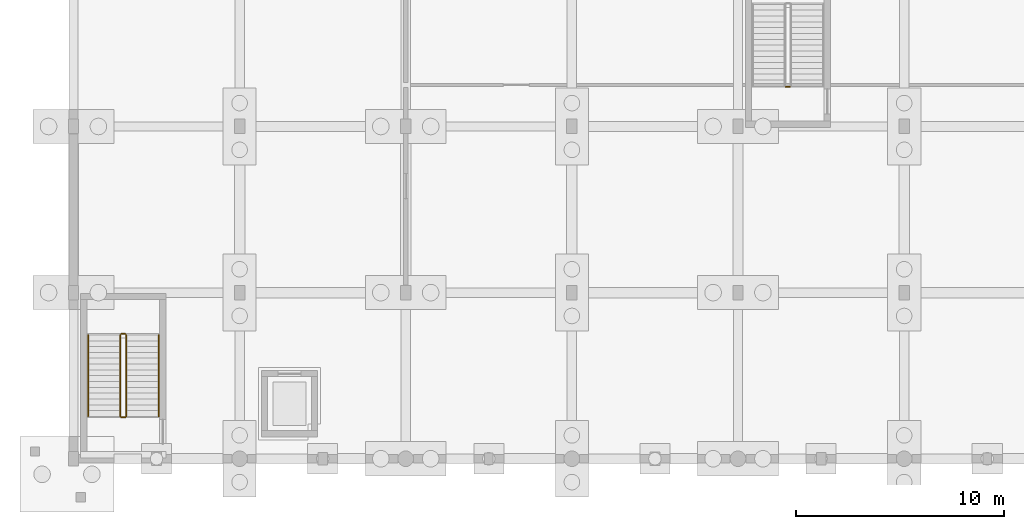
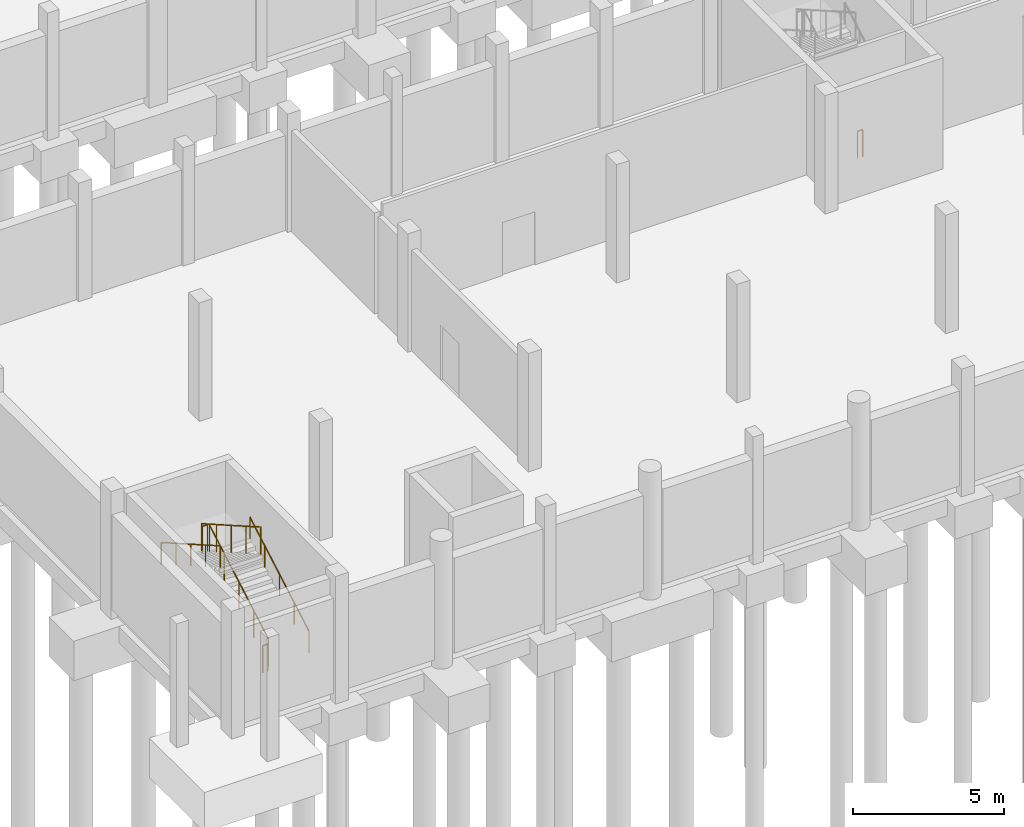
# One storey, part 37 of 52: 7 railings.
"""IFC4 building model written with IfcOpenShell, lengths in metres."""

from ifc_helpers import new_model, si_unit, direction, frame, origin, origin_2d, place, context, subcontext, project, spatial, circle, extrude, material, type_object, element, save


model = new_model("IFC4")

# Units and contexts
model_context = context("Model", 3, precision=1e-05, world=origin(), true_north=direction((0.0, 1.0)))
body_context = subcontext(model_context, "Body", "Model", "MODEL_VIEW")
ifc_project = project(units=[si_unit("LENGTHUNIT", "METRE"), si_unit("AREAUNIT", "SQUARE_METRE"), si_unit("VOLUMEUNIT", "CUBIC_METRE"), si_unit("PLANEANGLEUNIT", "RADIAN"), si_unit("MASSUNIT", "GRAM", prefix="KILO")], contexts=[model_context])

# Site, building, storey
site_placement = place(None, origin())
site = spatial("IfcSite", under=ifc_project, at=site_placement, CompositionType="ELEMENT")
building_placement = place(site_placement, origin())
building = spatial("IfcBuilding", under=site, at=building_placement, Name="Luwemba Playhouse", CompositionType="ELEMENT")
storey_placement = place(building_placement, frame((0.0, 0.0, -4.800048828125)))
storey = spatial("IfcBuildingStorey", under=building, at=storey_placement, Name="B1", CompositionType="ELEMENT", Elevation=-4.800048828125)

# Railings
ifc_material_1 = material(Name="Painted wrought-iron gallery balustrade", Category="steel")
railing_type_1 = type_object("IfcRailingType", Name="RLG-BAL-INT", PredefinedType="BALUSTRADE", material=ifc_material_1)
railing_1_placement = place(storey_placement, frame((6.550048828125, 5.0400390625, 0.16015625)))
element("IfcRailing", 1, at=railing_1_placement, inside=storey, type_object=railing_type_1, Name="B1 ST-04 stair guard 1", PredefinedType="BALUSTRADE", context=body_context, shape_type="SweptSolid", body=[
    extrude(circle(Radius=0.02392578125, at=origin_2d()), frame((0.0, 0.0, 1.09619140625), z_axis=(0.0, 0.868239814368, 0.496144761885), x_axis=(-1.0, 0.0, 0.0)), (0.0, 0.0, 1.0), 4.514892578125),
    extrude(circle(Radius=0.02099609375, at=origin_2d()), origin(), (0.0, 0.0, 1.0), 1.072021484375),
    extrude(circle(Radius=0.02099609375, at=origin_2d()), frame((0.0, 0.97998046875, 0.56005859375)), (0.0, 0.0, 1.0), 1.072021484375),
    extrude(circle(Radius=0.02099609375, at=origin_2d()), frame((0.0, 1.9599609375, 1.1201171875)), (0.0, 0.0, 1.0), 1.072021484375),
    extrude(circle(Radius=0.02099609375, at=origin_2d()), frame((0.0, 2.93994140625, 1.679931640625)), (0.0, 0.0, 1.0), 1.072021484375),
    extrude(circle(Radius=0.02099609375, at=origin_2d()), frame((0.0, 3.919921875, 2.239990234375)), (0.0, 0.0, 1.0), 1.072021484375),
])
railing_2_placement = place(storey_placement, frame((6.5, 9.010009765625, 2.400146484375)))
element("IfcRailing", 2, at=railing_2_placement, inside=storey, type_object=railing_type_1, Name="B1 ST-04 stair guard 2", PredefinedType="BALUSTRADE", context=body_context, shape_type="SweptSolid", body=[
    extrude(circle(Radius=0.02392578125, at=origin_2d()), frame((0.0, 0.0, 1.09619140625), z_axis=(-1.0, 0.0, 0.0), x_axis=(0.0, -1.0, 0.0)), (0.0, 0.0, 1.0), 0.199951171875),
    extrude(circle(Radius=0.02099609375, at=origin_2d()), origin(), (0.0, 0.0, 1.0), 1.072021484375),
    extrude(circle(Radius=0.02099609375, at=origin_2d()), frame((-0.199951171875, 0.0, 0.0)), (0.0, 0.0, 1.0), 1.072021484375),
])
railing_3_placement = place(storey_placement, frame((6.25, 8.9599609375, 2.56005859375)))
element("IfcRailing", 3, at=railing_3_placement, inside=storey, type_object=railing_type_1, Name="B1 ST-04 stair guard 3", PredefinedType="BALUSTRADE", context=body_context, shape_type="SweptSolid", body=[
    extrude(circle(Radius=0.02392578125, at=origin_2d()), frame((0.0, 0.0, 1.09619140625), z_axis=(0.0, -0.868239814368, 0.496144761885), x_axis=(1.0, 0.0, 0.0)), (0.0, 0.0, 1.0), 4.514892578125),
    extrude(circle(Radius=0.02099609375, at=origin_2d()), origin(), (0.0, 0.0, 1.0), 1.072021484375),
    extrude(circle(Radius=0.02099609375, at=origin_2d()), frame((0.0, -0.97998046875, 0.56005859375)), (0.0, 0.0, 1.0), 1.072021484375),
    extrude(circle(Radius=0.02099609375, at=origin_2d()), frame((0.0, -1.9599609375, 1.1201171875)), (0.0, 0.0, 1.0), 1.072021484375),
    extrude(circle(Radius=0.02099609375, at=origin_2d()), frame((0.0, -2.93994140625, 1.679931640625)), (0.0, 0.0, 1.0), 1.072021484375),
    extrude(circle(Radius=0.02099609375, at=origin_2d()), frame((0.0, -3.919921875, 2.239990234375)), (0.0, 0.0, 1.0), 1.072021484375),
])
for number, where, name in (
    (4, (6.5, 4.989990234375, 0.0), "B1 ST-04 stair guard 4"),
    (5, (38.5, 20.909912109375, 0.0), "B1 ST-13 stair guard 4"),
):
    element("IfcRailing", number, at=place(storey_placement, frame(where)), inside=storey, type_object=railing_type_1, Name=name, PredefinedType="BALUSTRADE", context=body_context, shape_type="SweptSolid", body=[
        extrude(circle(Radius=0.02392578125, at=origin_2d()), frame((0.0, 0.0, 1.09619140625), z_axis=(-1.0, 0.0, 0.0), x_axis=(0.0, -1.0, 0.0)), (0.0, 0.0, 1.0), 0.199951171875),
        extrude(circle(Radius=0.02099609375, at=origin_2d()), origin(), (0.0, 0.0, 1.0), 1.072021484375),
        extrude(circle(Radius=0.02099609375, at=origin_2d()), frame((-0.199951171875, 0.0, 0.0)), (0.0, 0.0, 1.0), 1.072021484375),
    ])
ifc_material_2 = material(Name="Hardwood and bronze handrail", Category="wood")
railing_type_2 = type_object("IfcRailingType", Name="RLG-HR-INT", PredefinedType="HANDRAIL", material=ifc_material_2)
railing_4_placement = place(storey_placement, frame((8.10009765625, 5.0400390625, 0.16015625)))
element("IfcRailing", 6, at=railing_4_placement, inside=storey, type_object=railing_type_2, Name="B1 ST-04 stair handrail 1", PredefinedType="HANDRAIL", context=body_context, shape_type="SweptSolid", body=[
    extrude(circle(Radius=0.02392578125, at=origin_2d()), frame((0.0, 0.0, 0.8759765625), z_axis=(0.0, 0.868239814368, 0.496144761885), x_axis=(-1.0, 0.0, 0.0)), (0.0, 0.0, 1.0), 4.514892578125),
    extrude(circle(Radius=0.02099609375, at=origin_2d()), origin(), (0.0, 0.0, 1.0), 0.851806640625),
    extrude(circle(Radius=0.02099609375, at=origin_2d()), frame((0.0, 0.97998046875, 0.56005859375)), (0.0, 0.0, 1.0), 0.851806640625),
    extrude(circle(Radius=0.02099609375, at=origin_2d()), frame((0.0, 1.9599609375, 1.1201171875)), (0.0, 0.0, 1.0), 0.851806640625),
    extrude(circle(Radius=0.02099609375, at=origin_2d()), frame((0.0, 2.93994140625, 1.679931640625)), (0.0, 0.0, 1.0), 0.851806640625),
    extrude(circle(Radius=0.02099609375, at=origin_2d()), frame((0.0, 3.919921875, 2.239990234375)), (0.0, 0.0, 1.0), 0.851806640625),
])
railing_5_placement = place(storey_placement, frame((4.699951171875, 8.9599609375, 2.56005859375)))
element("IfcRailing", 7, at=railing_5_placement, inside=storey, type_object=railing_type_2, Name="B1 ST-04 stair handrail 2", PredefinedType="HANDRAIL", context=body_context, shape_type="SweptSolid", body=[
    extrude(circle(Radius=0.02392578125, at=origin_2d()), frame((0.0, 0.0, 0.8759765625), z_axis=(0.0, -0.868239814368, 0.496144761885), x_axis=(1.0, 0.0, 0.0)), (0.0, 0.0, 1.0), 4.514892578125),
    extrude(circle(Radius=0.02099609375, at=origin_2d()), origin(), (0.0, 0.0, 1.0), 0.851806640625),
    extrude(circle(Radius=0.02099609375, at=origin_2d()), frame((0.0, -0.97998046875, 0.56005859375)), (0.0, 0.0, 1.0), 0.851806640625),
    extrude(circle(Radius=0.02099609375, at=origin_2d()), frame((0.0, -1.9599609375, 1.1201171875)), (0.0, 0.0, 1.0), 0.851806640625),
    extrude(circle(Radius=0.02099609375, at=origin_2d()), frame((0.0, -2.93994140625, 1.679931640625)), (0.0, 0.0, 1.0), 0.851806640625),
    extrude(circle(Radius=0.02099609375, at=origin_2d()), frame((0.0, -3.919921875, 2.239990234375)), (0.0, 0.0, 1.0), 0.851806640625),
])

save(model, "model.ifc")
